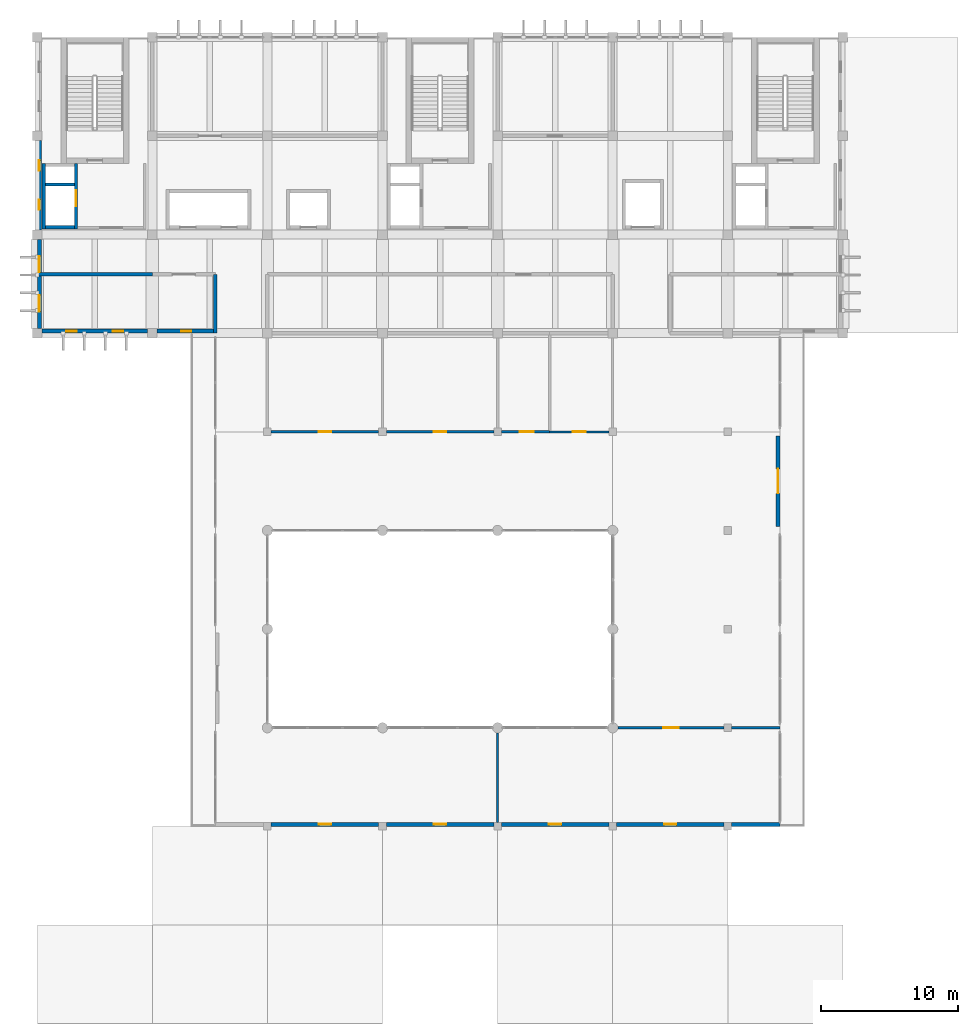
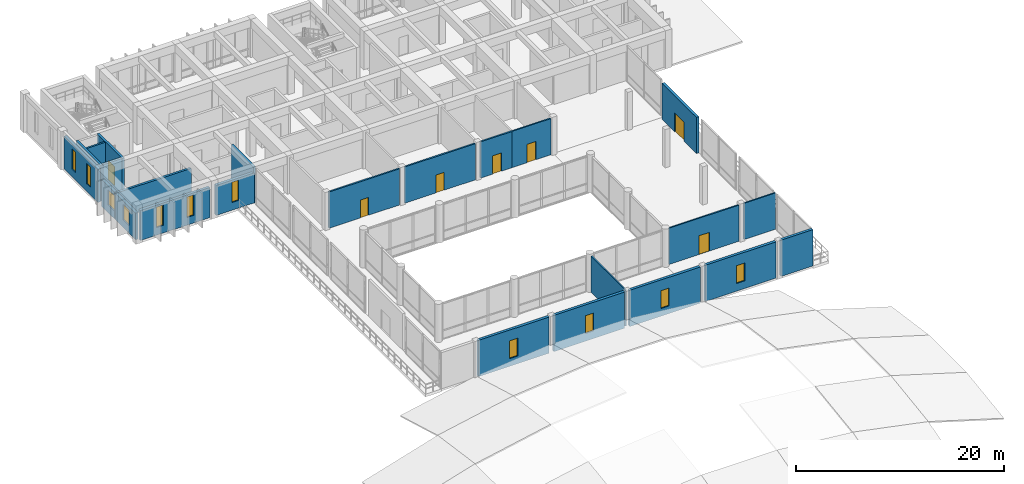
# One storey, part 11 of 17: 23 walls, 11 windows, 7 doors, 18 openings.
"""IFC4 building model written with IfcOpenShell, lengths in metres."""

from ifc_helpers import new_model, si_unit, direction, frame, frame_2d, origin, place, context, subcontext, project, spatial, rectangle, extrude, material, layer, layer_set, type_object, element, fill, save


model = new_model("IFC4")

# Units and contexts
model_context = context("Model", 3, precision=1e-05, world=origin(), true_north=direction((0.0, 1.0)))
body_context = subcontext(model_context, "Body", "Model", "MODEL_VIEW")
ifc_project = project(units=[si_unit("LENGTHUNIT", "METRE"), si_unit("AREAUNIT", "SQUARE_METRE"), si_unit("VOLUMEUNIT", "CUBIC_METRE"), si_unit("PLANEANGLEUNIT", "RADIAN"), si_unit("MASSUNIT", "GRAM", prefix="KILO")], contexts=[model_context])

# Site, building, storey
site_placement = place(None, origin())
site = spatial("IfcSite", under=ifc_project, at=site_placement, CompositionType="ELEMENT")
building_placement = place(site_placement, origin())
building = spatial("IfcBuilding", under=site, at=building_placement, Name="Kenerak Square Central Library", CompositionType="ELEMENT")
storey_placement = place(building_placement, frame((0.0, 0.0, 23.360107421875)))
storey = spatial("IfcBuildingStorey", under=building, at=storey_placement, Name="L05", CompositionType="ELEMENT", Elevation=23.360107421875)

# Wall, opening, door
ifc_material_1 = material(Name="Precast concrete C40/50", Category="concrete")
ifc_layer_1 = layer(ifc_material_1, 0.14990234375)
ifc_layer_set_1 = layer_set([ifc_layer_1], Name="Precast concrete C40/50")
wall_type_1 = type_object("IfcWallType", Name="Acoustic Blockwork Partition IW-150 C40/50", PredefinedType="PARTITIONING", material=ifc_layer_set_1)
wall_1_placement = place(storey_placement, frame((100.77490234375, 60.0, 0.0), z_axis=(0.0, 0.0, 1.0), x_axis=(1.0, 0.0, 0.0)))
wall_1 = element("IfcWall", 1, at=wall_1_placement, inside=storey, type_object=wall_type_1, Name="Interior Wall IW-L05-03-N2-B2", PredefinedType="PARTITIONING", context=body_context, shape_type="SweptSolid", body=[
    extrude(rectangle(XDim=7.75, YDim=0.14990234375, at=frame_2d((3.875, 0.0))), origin(), (0.0, 0.0, 1.0), 4.2548828125),
])
opening_1_placement = place(wall_1_placement, frame((3.300048828125, 0.0, 0.0)))
opening_1 = element("IfcOpeningElement", 2, at=opening_1_placement, cuts=wall_1, Name="Opening ID-05", PredefinedType="OPENING", context=body_context, shape_type="SweptSolid", body=[
    extrude(rectangle(XDim=1.14990234375, YDim=2.199951171875, at=frame_2d((0.574951171875, 1.10009765625))), frame((0.0, 0.0849609375, 0.0), z_axis=(0.0, -1.0, 0.0), x_axis=(1.0, 0.0, 0.0)), (0.0, 0.0, 1.0), 0.169921875),
])
ifc_material_2 = material(Name="Chengal hardwood timber SG1", Category="wood")
door_type_1 = type_object("IfcDoorType", Name="Seminar Room Acoustic Door ID-1150x2200", OperationType="NOTDEFINED", PredefinedType="DOOR", material=ifc_material_2)
door_1_placement = place(opening_1_placement, origin())
door_1 = element("IfcDoor", 3, at=door_1_placement, inside=storey, type_object=door_type_1, Name="Visiting Scholars Seminar Room Door", OperationType="SINGLE_SWING_RIGHT", OverallHeight=2.199951171875, OverallWidth=1.14990234375, PredefinedType="DOOR", context=body_context, shape_type="SweptSolid", body=[
    extrude(rectangle(XDim=1.14990234375, YDim=2.199951171875, at=frame_2d((0.574951171875, 1.10009765625))), frame((0.0, 0.02490234375, 0.0), z_axis=(0.0, -1.0, 0.0), x_axis=(1.0, 0.0, 0.0)), (0.0, 0.0, 1.0), 0.050048828125),
])
fill(opening_1, door_1)

# Wall
wall_2_placement = place(storey_placement, frame((109.074951171875, 60.0, 0.0), z_axis=(0.0, 0.0, 1.0), x_axis=(1.0, 0.0, 0.0)))
element("IfcWall", 4, at=wall_2_placement, inside=storey, type_object=wall_type_1, Name="Interior Wall IW-L05-03-N2-B3", PredefinedType="PARTITIONING", context=body_context, shape_type="SweptSolid", body=[
    extrude(rectangle(XDim=3.525146484375, YDim=0.14990234375, at=frame_2d((1.7626953125, 0.0))), origin(), (0.0, 0.0, 1.0), 4.2548828125),
])

# Wall, opening, door
wall_3_placement = place(storey_placement, frame((100.125, 81.60009765625, 0.0), z_axis=(0.0, 0.0, 1.0), x_axis=(-1.0, 0.0, 0.0)))
wall_3 = element("IfcWall", 5, at=wall_3_placement, inside=storey, type_object=wall_type_1, Name="Interior Wall IW-L05-11-S1-B1", PredefinedType="PARTITIONING", context=body_context, shape_type="SweptSolid", body=[
    extrude(rectangle(XDim=4.324951171875, YDim=0.14990234375, at=frame_2d((2.16259765625, 0.0))), origin(), (0.0, 0.0, 1.0), 4.2548828125),
])
opening_2_placement = place(wall_3_placement, frame((1.6875, 0.0, 0.0)))
opening_2 = element("IfcOpeningElement", 6, at=opening_2_placement, cuts=wall_3, Name="Opening ID-02", PredefinedType="OPENING", context=body_context, shape_type="SweptSolid", body=[
    extrude(rectangle(XDim=0.949951171875, YDim=2.14990234375, at=frame_2d((0.47509765625, 1.074951171875))), frame((0.0, 0.0849609375, 0.0), z_axis=(0.0, -1.0, 0.0), x_axis=(1.0, 0.0, 0.0)), (0.0, 0.0, 1.0), 0.169921875),
])
door_type_2 = type_object("IfcDoorType", Name="Study Carrel Timber Door ID-950x2150", OperationType="NOTDEFINED", PredefinedType="DOOR", material=ifc_material_2)
door_2_placement = place(opening_2_placement, origin())
door_2 = element("IfcDoor", 7, at=door_2_placement, inside=storey, type_object=door_type_2, Name="Level 05 Heritage Fellows Private Study Room Door", OperationType="SINGLE_SWING_RIGHT", OverallHeight=2.14990234375, OverallWidth=0.949951171875, PredefinedType="DOOR", context=body_context, shape_type="SweptSolid", body=[
    extrude(rectangle(XDim=0.949951171875, YDim=2.14990234375, at=frame_2d((0.47509765625, 1.074951171875))), frame((0.0, 0.02490234375, 0.0), z_axis=(0.0, -1.0, 0.0), x_axis=(1.0, 0.0, 0.0)), (0.0, 0.0, 1.0), 0.050048828125),
])
fill(opening_2, door_2)

# Walls
wall_4_placement = place(storey_placement, frame((92.0, 53.074951171875, 0.0), z_axis=(0.0, 0.0, 1.0), x_axis=(0.0, 1.0, 0.0)))
element("IfcWall", 8, at=wall_4_placement, inside=storey, type_object=wall_type_1, Name="Interior Wall IW-L05-03-W3-B1", PredefinedType="PARTITIONING", context=body_context, shape_type="SweptSolid", body=[
    extrude(rectangle(XDim=6.550048828125, YDim=0.14990234375, at=frame_2d((3.27490234375, 0.0))), origin(), (0.0, 0.0, 1.0), 4.2548828125),
])
ifc_material_3 = material(Name="Concrete C40/50", Category="concrete")
ifc_layer_2 = layer(ifc_material_3, 0.25)
ifc_layer_set_2 = layer_set([ifc_layer_2], Name="Concrete C40/50")
wall_type_2 = type_object("IfcWallType", Name="Archive Compartment Wall IW-250 C40/50", PredefinedType="SOLIDWALL", material=ifc_layer_set_2)
wall_5_placement = place(storey_placement, frame((58.39990234375, 93.10009765625, 0.0), z_axis=(0.0, 0.0, 1.0), x_axis=(1.0, 0.0, 0.0)))
element("IfcWall", 9, at=wall_5_placement, inside=storey, type_object=wall_type_2, Name="Interior Wall IW-L05-04-N2-B1", PredefinedType="SOLIDWALL", context=body_context, shape_type="SweptSolid", body=[
    extrude(rectangle(XDim=8.400146484375, YDim=0.25, at=frame_2d((4.2001953125, 0.0))), origin(), (0.0, 0.0, 1.0), 3.1298828125),
])
wall_6_placement = place(storey_placement, frame((71.39990234375, 93.10009765625, 0.0), z_axis=(0.0, 0.0, 1.0), x_axis=(0.0, -1.0, 0.0)))
element("IfcWall", 10, at=wall_6_placement, inside=storey, type_object=wall_type_2, Name="Interior Wall IW-L05-04-E4-B1", PredefinedType="SOLIDWALL", context=body_context, shape_type="SweptSolid", body=[
    extrude(rectangle(XDim=4.300048828125, YDim=0.25, at=frame_2d((2.14990234375, 0.0))), origin(), (0.0, 0.0, 1.0), 4.2548828125),
])
ifc_layer_3 = layer(ifc_material_3, 0.300048828125)
ifc_layer_set_3 = layer_set([ifc_layer_3], Name="Concrete C40/50")
wall_type_3 = type_object("IfcWallType", Name="Board-Marked Brutalist Facade Wall EW-300 C40/50", PredefinedType="SOLIDWALL", material=ifc_layer_set_3)
wall_7_placement = place(storey_placement, frame((112.60009765625, 52.949951171875, 0.0), z_axis=(0.0, 0.0, 1.0), x_axis=(-1.0, 0.0, 0.0)))
element("IfcWall", 11, at=wall_7_placement, inside=storey, type_object=wall_type_3, Name="Exterior Facade Wall L05 0241", PredefinedType="SOLIDWALL", context=body_context, shape_type="SweptSolid", body=[
    extrude(rectangle(XDim=3.525146484375, YDim=0.300048828125, at=frame_2d((1.7626953125, 0.0))), origin(), (0.0, 0.0, 1.0), 4.2548828125),
])

# Wall, opening, window
wall_8_placement = place(storey_placement, frame((108.52490234375, 52.949951171875, 0.0), z_axis=(0.0, 0.0, 1.0), x_axis=(-1.0, 0.0, 0.0)))
wall_8 = element("IfcWall", 12, at=wall_8_placement, inside=storey, type_object=wall_type_3, Name="Exterior Facade Wall L05 0242", PredefinedType="SOLIDWALL", context=body_context, shape_type="SweptSolid", body=[
    extrude(rectangle(XDim=7.849853515625, YDim=0.300048828125, at=frame_2d((3.9248046875, 0.0))), origin(), (0.0, 0.0, 1.0), 4.2548828125),
])
opening_3_placement = place(wall_8_placement, frame((3.47509765625, 0.0, 0.89990234375)))
opening_3 = element("IfcOpeningElement", 13, at=opening_3_placement, cuts=wall_8, Name="Opening W-03", PredefinedType="OPENING", context=body_context, shape_type="SweptSolid", body=[
    extrude(rectangle(XDim=0.89990234375, YDim=2.10009765625, at=frame_2d((0.449951171875, 1.050048828125))), frame((0.0, 0.159912109375, 0.0), z_axis=(0.0, -1.0, 0.0), x_axis=(1.0, 0.0, 0.0)), (0.0, 0.0, 1.0), 0.320068359375),
])
ifc_material_4 = material(Name="Solar-control low-E laminated double glazing", Category="glass")
window_type_1 = type_object("IfcWindowType", Name="Study Carrel Window W-03 900x2100", PartitioningType="SINGLE_PANEL", PredefinedType="WINDOW", material=ifc_material_4)
window_1_placement = place(opening_3_placement, origin())
window_1 = element("IfcWindow", 14, at=window_1_placement, inside=storey, type_object=window_type_1, Name="Window W-03 L05 0270", OverallHeight=2.10009765625, OverallWidth=0.89990234375, PartitioningType="SINGLE_PANEL", PredefinedType="WINDOW", context=body_context, shape_type="SweptSolid", body=[
    extrude(rectangle(XDim=0.89990234375, YDim=2.10009765625, at=frame_2d((0.449951171875, 1.050048828125))), frame((0.0, 0.030029296875, 0.0), z_axis=(0.0, -1.0, 0.0), x_axis=(1.0, 0.0, 0.0)), (0.0, 0.0, 1.0), 0.06005859375),
])
fill(opening_3, window_1)

wall_9_placement = place(storey_placement, frame((100.125, 52.949951171875, 0.0), z_axis=(0.0, 0.0, 1.0), x_axis=(-1.0, 0.0, 0.0)))
wall_9 = element("IfcWall", 15, at=wall_9_placement, inside=storey, type_object=wall_type_3, Name="Exterior Facade Wall L05 0243", PredefinedType="SOLIDWALL", context=body_context, shape_type="SweptSolid", body=[
    extrude(rectangle(XDim=7.85009765625, YDim=0.300048828125, at=frame_2d((3.925048828125, 0.0))), origin(), (0.0, 0.0, 1.0), 4.2548828125),
])
opening_4_placement = place(wall_9_placement, frame((3.47509765625, 0.0, 0.89990234375)))
opening_4 = element("IfcOpeningElement", 16, at=opening_4_placement, cuts=wall_9, Name="Opening W-03", PredefinedType="OPENING", context=body_context, shape_type="SweptSolid", body=[
    extrude(rectangle(XDim=0.89990234375, YDim=2.10009765625, at=frame_2d((0.449951171875, 1.050048828125))), frame((0.0, 0.159912109375, 0.0), z_axis=(0.0, -1.0, 0.0), x_axis=(1.0, 0.0, 0.0)), (0.0, 0.0, 1.0), 0.320068359375),
])
window_2_placement = place(opening_4_placement, origin())
window_2 = element("IfcWindow", 17, at=window_2_placement, inside=storey, type_object=window_type_1, Name="Window W-03 L05 0271", OverallHeight=2.10009765625, OverallWidth=0.89990234375, PartitioningType="SINGLE_PANEL", PredefinedType="WINDOW", context=body_context, shape_type="SweptSolid", body=[
    extrude(rectangle(XDim=0.89990234375, YDim=2.10009765625, at=frame_2d((0.449951171875, 1.050048828125))), frame((0.0, 0.030029296875, 0.0), z_axis=(0.0, -1.0, 0.0), x_axis=(1.0, 0.0, 0.0)), (0.0, 0.0, 1.0), 0.06005859375),
])
fill(opening_4, window_2)

wall_10_placement = place(storey_placement, frame((91.72509765625, 52.949951171875, 0.0), z_axis=(0.0, 0.0, 1.0), x_axis=(-1.0, 0.0, 0.0)))
wall_10 = element("IfcWall", 18, at=wall_10_placement, inside=storey, type_object=wall_type_3, Name="Exterior Facade Wall L05 0244", PredefinedType="SOLIDWALL", context=body_context, shape_type="SweptSolid", body=[
    extrude(rectangle(XDim=7.85009765625, YDim=0.300048828125, at=frame_2d((3.925048828125, 0.0))), origin(), (0.0, 0.0, 1.0), 4.2548828125),
])
opening_5_placement = place(wall_10_placement, frame((3.47509765625, 0.0, 0.89990234375)))
opening_5 = element("IfcOpeningElement", 19, at=opening_5_placement, cuts=wall_10, Name="Opening W-03", PredefinedType="OPENING", context=body_context, shape_type="SweptSolid", body=[
    extrude(rectangle(XDim=0.89990234375, YDim=2.10009765625, at=frame_2d((0.449951171875, 1.050048828125))), frame((0.0, 0.159912109375, 0.0), z_axis=(0.0, -1.0, 0.0), x_axis=(1.0, 0.0, 0.0)), (0.0, 0.0, 1.0), 0.320068359375),
])
window_3_placement = place(opening_5_placement, origin())
window_3 = element("IfcWindow", 20, at=window_3_placement, inside=storey, type_object=window_type_1, Name="Window W-03 L05 0272", OverallHeight=2.10009765625, OverallWidth=0.89990234375, PartitioningType="SINGLE_PANEL", PredefinedType="WINDOW", context=body_context, shape_type="SweptSolid", body=[
    extrude(rectangle(XDim=0.89990234375, YDim=2.10009765625, at=frame_2d((0.449951171875, 1.050048828125))), frame((0.0, 0.030029296875, 0.0), z_axis=(0.0, -1.0, 0.0), x_axis=(1.0, 0.0, 0.0)), (0.0, 0.0, 1.0), 0.06005859375),
])
fill(opening_5, window_3)

wall_11_placement = place(storey_placement, frame((83.324951171875, 52.949951171875, 0.0), z_axis=(0.0, 0.0, 1.0), x_axis=(-1.0, 0.0, 0.0)))
wall_11 = element("IfcWall", 21, at=wall_11_placement, inside=storey, type_object=wall_type_3, Name="Exterior Facade Wall L05 0245", PredefinedType="SOLIDWALL", context=body_context, shape_type="SweptSolid", body=[
    extrude(rectangle(XDim=7.849853515625, YDim=0.300048828125, at=frame_2d((3.9248046875, 0.0))), origin(), (0.0, 0.0, 1.0), 4.2548828125),
])
opening_6_placement = place(wall_11_placement, frame((3.47509765625, 0.0, 0.89990234375)))
opening_6 = element("IfcOpeningElement", 22, at=opening_6_placement, cuts=wall_11, Name="Opening W-03", PredefinedType="OPENING", context=body_context, shape_type="SweptSolid", body=[
    extrude(rectangle(XDim=0.89990234375, YDim=2.10009765625, at=frame_2d((0.449951171875, 1.050048828125))), frame((0.0, 0.159912109375, 0.0), z_axis=(0.0, -1.0, 0.0), x_axis=(1.0, 0.0, 0.0)), (0.0, 0.0, 1.0), 0.320068359375),
])
window_4_placement = place(opening_6_placement, origin())
window_4 = element("IfcWindow", 23, at=window_4_placement, inside=storey, type_object=window_type_1, Name="Window W-03 L05 0273", OverallHeight=2.10009765625, OverallWidth=0.89990234375, PartitioningType="SINGLE_PANEL", PredefinedType="WINDOW", context=body_context, shape_type="SweptSolid", body=[
    extrude(rectangle(XDim=0.89990234375, YDim=2.10009765625, at=frame_2d((0.449951171875, 1.050048828125))), frame((0.0, 0.030029296875, 0.0), z_axis=(0.0, -1.0, 0.0), x_axis=(1.0, 0.0, 0.0)), (0.0, 0.0, 1.0), 0.06005859375),
])
fill(opening_6, window_4)

wall_12_placement = place(storey_placement, frame((71.39990234375, 88.949951171875, 0.0), z_axis=(0.0, 0.0, 1.0), x_axis=(-1.0, 0.0, 0.0)))
wall_12 = element("IfcWall", 24, at=wall_12_placement, inside=storey, type_object=wall_type_3, Name="Exterior Facade Wall L05 0248", PredefinedType="SOLIDWALL", context=body_context, shape_type="SweptSolid", body=[
    extrude(rectangle(XDim=4.25, YDim=0.300048828125, at=frame_2d((2.125, 0.0))), origin(), (0.0, 0.0, 1.0), 3.52978515625),
])
opening_7_placement = place(wall_12_placement, frame((1.75, 0.0, 0.89990234375)))
opening_7 = element("IfcOpeningElement", 25, at=opening_7_placement, cuts=wall_12, Name="Opening W-02", PredefinedType="OPENING", context=body_context, shape_type="SweptSolid", body=[
    extrude(rectangle(XDim=0.75, YDim=2.39990234375, at=frame_2d((0.375, 1.199951171875))), frame((0.0, 0.159912109375, 0.0), z_axis=(0.0, -1.0, 0.0), x_axis=(1.0, 0.0, 0.0)), (0.0, 0.0, 1.0), 0.320068359375),
])
window_type_2 = type_object("IfcWindowType", Name="Archive Narrow Slot Window W-02 750x2400", PartitioningType="SINGLE_PANEL", PredefinedType="WINDOW", material=ifc_material_4)
window_5_placement = place(opening_7_placement, origin())
window_5 = element("IfcWindow", 26, at=window_5_placement, inside=storey, type_object=window_type_2, Name="Window W-02 L05 0274", OverallHeight=2.39990234375, OverallWidth=0.75, PartitioningType="SINGLE_PANEL", PredefinedType="WINDOW", context=body_context, shape_type="SweptSolid", body=[
    extrude(rectangle(XDim=0.75, YDim=2.39990234375, at=frame_2d((0.375, 1.199951171875))), frame((0.0, 0.030029296875, 0.0), z_axis=(0.0, -1.0, 0.0), x_axis=(1.0, 0.0, 0.0)), (0.0, 0.0, 1.0), 0.06005859375),
])
fill(opening_7, window_5)

# Wall, openings, windows
wall_13_placement = place(storey_placement, frame((66.449951171875, 88.949951171875, 0.0), z_axis=(0.0, 0.0, 1.0), x_axis=(-1.0, 0.0, 0.0)))
wall_13 = element("IfcWall", 27, at=wall_13_placement, inside=storey, type_object=wall_type_3, Name="Exterior Facade Wall L05 0249", PredefinedType="SOLIDWALL", context=body_context, shape_type="SweptSolid", body=[
    extrude(rectangle(XDim=7.699951171875, YDim=0.300048828125, at=frame_2d((3.85009765625, 0.0))), origin(), (0.0, 0.0, 1.0), 3.52978515625),
])
opening_8_placement = place(wall_13_placement, frame((1.781005859375, 0.0, 0.89990234375)))
opening_8 = element("IfcOpeningElement", 28, at=opening_8_placement, cuts=wall_13, Name="Opening W-02", PredefinedType="OPENING", context=body_context, shape_type="SweptSolid", body=[
    extrude(rectangle(XDim=0.75, YDim=2.39990234375, at=frame_2d((0.375, 1.199951171875))), frame((0.0, 0.159912109375, 0.0), z_axis=(0.0, -1.0, 0.0), x_axis=(1.0, 0.0, 0.0)), (0.0, 0.0, 1.0), 0.320068359375),
])
opening_9_placement = place(wall_13_placement, frame((5.1689453125, 0.0, 0.89990234375)))
opening_9 = element("IfcOpeningElement", 29, at=opening_9_placement, cuts=wall_13, Name="Opening W-02", PredefinedType="OPENING", context=body_context, shape_type="SweptSolid", body=[
    extrude(rectangle(XDim=0.75, YDim=2.39990234375, at=frame_2d((0.375, 1.199951171875))), frame((0.0, 0.159912109375, 0.0), z_axis=(0.0, -1.0, 0.0), x_axis=(1.0, 0.0, 0.0)), (0.0, 0.0, 1.0), 0.320068359375),
])
window_6_placement = place(opening_8_placement, origin())
window_6 = element("IfcWindow", 30, at=window_6_placement, inside=storey, type_object=window_type_2, Name="Window W-02 L05 0275", OverallHeight=2.39990234375, OverallWidth=0.75, PartitioningType="SINGLE_PANEL", PredefinedType="WINDOW", context=body_context, shape_type="SweptSolid", body=[
    extrude(rectangle(XDim=0.75, YDim=2.39990234375, at=frame_2d((0.375, 1.199951171875))), frame((0.0, 0.030029296875, 0.0), z_axis=(0.0, -1.0, 0.0), x_axis=(1.0, 0.0, 0.0)), (0.0, 0.0, 1.0), 0.06005859375),
])
fill(opening_8, window_6)
window_7_placement = place(opening_9_placement, origin())
window_7 = element("IfcWindow", 31, at=window_7_placement, inside=storey, type_object=window_type_2, Name="Window W-02 L05 0276", OverallHeight=2.39990234375, OverallWidth=0.75, PartitioningType="SINGLE_PANEL", PredefinedType="WINDOW", context=body_context, shape_type="SweptSolid", body=[
    extrude(rectangle(XDim=0.75, YDim=2.39990234375, at=frame_2d((0.375, 1.199951171875))), frame((0.0, 0.030029296875, 0.0), z_axis=(0.0, -1.0, 0.0), x_axis=(1.0, 0.0, 0.0)), (0.0, 0.0, 1.0), 0.06005859375),
])
fill(opening_9, window_7)

wall_14_placement = place(storey_placement, frame((58.550048828125, 89.14990234375, 0.0), z_axis=(0.0, 0.0, 1.0), x_axis=(0.0, 1.0, 0.0)))
wall_14 = element("IfcWall", 32, at=wall_14_placement, inside=storey, type_object=wall_type_3, Name="Exterior Facade Wall L05 0250", PredefinedType="SOLIDWALL", context=body_context, shape_type="SweptSolid", body=[
    extrude(rectangle(XDim=6.5, YDim=0.300048828125, at=frame_2d((3.25, 0.0))), origin(), (0.0, 0.0, 1.0), 3.1298828125),
])
opening_10_placement = place(wall_14_placement, frame((1.219970703125, 0.0, 0.89990234375)))
opening_10 = element("IfcOpeningElement", 33, at=opening_10_placement, cuts=wall_14, Name="Opening W-04", PredefinedType="OPENING", context=body_context, shape_type="SweptSolid", body=[
    extrude(rectangle(XDim=1.199951171875, YDim=1.800048828125, at=frame_2d((0.60009765625, 0.89990234375))), frame((0.0, 0.159912109375, 0.0), z_axis=(0.0, -1.0, 0.0), x_axis=(1.0, 0.0, 0.0)), (0.0, 0.0, 1.0), 0.320068359375),
])
opening_11_placement = place(wall_14_placement, frame((4.080078125, 0.0, 0.89990234375)))
opening_11 = element("IfcOpeningElement", 34, at=opening_11_placement, cuts=wall_14, Name="Opening W-04", PredefinedType="OPENING", context=body_context, shape_type="SweptSolid", body=[
    extrude(rectangle(XDim=1.199951171875, YDim=1.800048828125, at=frame_2d((0.60009765625, 0.89990234375))), frame((0.0, 0.159912109375, 0.0), z_axis=(0.0, -1.0, 0.0), x_axis=(1.0, 0.0, 0.0)), (0.0, 0.0, 1.0), 0.320068359375),
])
window_type_3 = type_object("IfcWindowType", Name="Staff Workroom Window W-04 1200x1800", PartitioningType="SINGLE_PANEL", PredefinedType="WINDOW", material=ifc_material_4)
window_8_placement = place(opening_10_placement, origin())
window_8 = element("IfcWindow", 35, at=window_8_placement, inside=storey, type_object=window_type_3, Name="Window W-04 L05 0277", OverallHeight=1.800048828125, OverallWidth=1.199951171875, PartitioningType="SINGLE_PANEL", PredefinedType="WINDOW", context=body_context, shape_type="SweptSolid", body=[
    extrude(rectangle(XDim=1.199951171875, YDim=1.800048828125, at=frame_2d((0.60009765625, 0.89990234375))), frame((0.0, 0.030029296875, 0.0), z_axis=(0.0, -1.0, 0.0), x_axis=(1.0, 0.0, 0.0)), (0.0, 0.0, 1.0), 0.06005859375),
])
fill(opening_10, window_8)
window_9_placement = place(opening_11_placement, origin())
window_9 = element("IfcWindow", 36, at=window_9_placement, inside=storey, type_object=window_type_3, Name="Window W-04 L05 0278", OverallHeight=1.800048828125, OverallWidth=1.199951171875, PartitioningType="SINGLE_PANEL", PredefinedType="WINDOW", context=body_context, shape_type="SweptSolid", body=[
    extrude(rectangle(XDim=1.199951171875, YDim=1.800048828125, at=frame_2d((0.60009765625, 0.89990234375))), frame((0.0, 0.030029296875, 0.0), z_axis=(0.0, -1.0, 0.0), x_axis=(1.0, 0.0, 0.0)), (0.0, 0.0, 1.0), 0.06005859375),
])
fill(opening_11, window_9)

wall_15_placement = place(storey_placement, frame((58.550048828125, 96.35009765625, 0.0), z_axis=(0.0, 0.0, 1.0), x_axis=(0.0, 1.0, 0.0)))
wall_15 = element("IfcWall", 37, at=wall_15_placement, inside=storey, type_object=wall_type_3, Name="Exterior Facade Wall L05 0251", PredefinedType="SOLIDWALL", context=body_context, shape_type="SweptSolid", body=[
    extrude(rectangle(XDim=6.5, YDim=0.300048828125, at=frame_2d((3.25, 0.0))), origin(), (0.0, 0.0, 1.0), 3.8798828125),
])
opening_12_placement = place(wall_15_placement, frame((1.445068359375, 0.0, 0.89990234375)))
opening_12 = element("IfcOpeningElement", 38, at=opening_12_placement, cuts=wall_15, Name="Opening W-02", PredefinedType="OPENING", context=body_context, shape_type="SweptSolid", body=[
    extrude(rectangle(XDim=0.75, YDim=2.39990234375, at=frame_2d((0.375, 1.199951171875))), frame((0.0, 0.159912109375, 0.0), z_axis=(0.0, -1.0, 0.0), x_axis=(1.0, 0.0, 0.0)), (0.0, 0.0, 1.0), 0.320068359375),
])
opening_13_placement = place(wall_15_placement, frame((4.304931640625, 0.0, 0.89990234375)))
opening_13 = element("IfcOpeningElement", 39, at=opening_13_placement, cuts=wall_15, Name="Opening W-02", PredefinedType="OPENING", context=body_context, shape_type="SweptSolid", body=[
    extrude(rectangle(XDim=0.75, YDim=2.39990234375, at=frame_2d((0.375, 1.199951171875))), frame((0.0, 0.159912109375, 0.0), z_axis=(0.0, -1.0, 0.0), x_axis=(1.0, 0.0, 0.0)), (0.0, 0.0, 1.0), 0.320068359375),
])
window_10_placement = place(opening_12_placement, origin())
window_10 = element("IfcWindow", 40, at=window_10_placement, inside=storey, type_object=window_type_2, Name="Window W-02 L05 0279", OverallHeight=2.39990234375, OverallWidth=0.75, PartitioningType="SINGLE_PANEL", PredefinedType="WINDOW", context=body_context, shape_type="SweptSolid", body=[
    extrude(rectangle(XDim=0.75, YDim=2.39990234375, at=frame_2d((0.375, 1.199951171875))), frame((0.0, 0.030029296875, 0.0), z_axis=(0.0, -1.0, 0.0), x_axis=(1.0, 0.0, 0.0)), (0.0, 0.0, 1.0), 0.06005859375),
])
fill(opening_12, window_10)
window_11_placement = place(opening_13_placement, origin())
window_11 = element("IfcWindow", 41, at=window_11_placement, inside=storey, type_object=window_type_2, Name="Window W-02 L05 0280", OverallHeight=2.39990234375, OverallWidth=0.75, PartitioningType="SINGLE_PANEL", PredefinedType="WINDOW", context=body_context, shape_type="SweptSolid", body=[
    extrude(rectangle(XDim=0.75, YDim=2.39990234375, at=frame_2d((0.375, 1.199951171875))), frame((0.0, 0.030029296875, 0.0), z_axis=(0.0, -1.0, 0.0), x_axis=(1.0, 0.0, 0.0)), (0.0, 0.0, 1.0), 0.06005859375),
])
fill(opening_13, window_11)

# Wall, opening, door
ifc_layer_4 = layer(ifc_material_1, 0.27490234375)
ifc_layer_set_4 = layer_set([ifc_layer_4], Name="Precast concrete C40/50")
wall_type_4 = type_object("IfcWallType", Name="Insulated Precast Spandrel Wall SPW-275 C40/50", PredefinedType="SOLIDWALL", material=ifc_layer_set_4)
wall_16_placement = place(storey_placement, frame((112.46240234375, 81.300048828125, 0.0), z_axis=(0.0, 0.0, 1.0), x_axis=(0.0, -1.0, 0.0)))
wall_16 = element("IfcWall", 42, at=wall_16_placement, inside=storey, type_object=wall_type_4, Name="Exterior Facade Wall L05 0257", PredefinedType="SOLIDWALL", context=body_context, shape_type="SweptSolid", body=[
    extrude(rectangle(XDim=6.60009765625, YDim=0.27490234375, at=frame_2d((3.300048828125, 0.0))), origin(), (0.0, 0.0, 1.0), 4.2548828125),
])
opening_14_placement = place(wall_16_placement, frame((2.39990234375, 0.0, 0.0)))
opening_14 = element("IfcOpeningElement", 43, at=opening_14_placement, cuts=wall_16, Name="Opening TD-01", PredefinedType="OPENING", context=body_context, shape_type="SweptSolid", body=[
    extrude(rectangle(XDim=1.800048828125, YDim=2.25, at=frame_2d((0.89990234375, 1.125))), frame((0.0, 0.1474609375, 0.0), z_axis=(0.0, -1.0, 0.0), x_axis=(1.0, 0.0, 0.0)), (0.0, 0.0, 1.0), 0.294921875),
])
ifc_material_5 = material(Name="Anodised aluminium and laminated glass", Category="aluminium")
door_type_3 = type_object("IfcDoorType", Name="Planted Reading Terrace Double Door TD-1800x2250", OperationType="NOTDEFINED", PredefinedType="DOOR", material=ifc_material_5)
door_3_placement = place(opening_14_placement, origin())
door_3 = element("IfcDoor", 44, at=door_3_placement, inside=storey, type_object=door_type_3, Name="Upper East Reading Terrace L05 Access Door", OperationType="DOUBLE_DOOR_SINGLE_SWING", OverallHeight=2.25, OverallWidth=1.800048828125, PredefinedType="DOOR", context=body_context, shape_type="SweptSolid", body=[
    extrude(rectangle(XDim=1.800048828125, YDim=2.25, at=frame_2d((0.89990234375, 1.125))), frame((0.0, 0.02490234375, 0.0), z_axis=(0.0, -1.0, 0.0), x_axis=(1.0, 0.0, 0.0)), (0.0, 0.0, 1.0), 0.050048828125),
])
fill(opening_14, door_3)

# Wall
ifc_layer_5 = layer(ifc_material_3, 0.199951171875)
ifc_layer_set_5 = layer_set([ifc_layer_5], Name="Concrete C40/50")
wall_type_5 = type_object("IfcWallType", Name="Lobby Compartment Wall LW-200 C40/50", PredefinedType="SOLIDWALL", material=ifc_layer_set_5)
wall_17_placement = place(storey_placement, frame((59.0, 99.64990234375, 0.0), z_axis=(0.0, 0.0, 1.0), x_axis=(1.0, 0.0, 0.0)))
element("IfcWall", 45, at=wall_17_placement, inside=storey, type_object=wall_type_5, Name="Riser Divider Wall C1 L05", PredefinedType="SOLIDWALL", context=body_context, shape_type="SweptSolid", body=[
    extrude(rectangle(XDim=2.10009765625, YDim=0.199951171875, at=frame_2d((1.050048828125, 0.0))), origin(), (0.0, 0.0, 1.0), 4.204833984375),
])

# Wall, opening, door
ifc_layer_6 = layer(ifc_material_1, 0.175048828125)
ifc_layer_set_6 = layer_set([ifc_layer_6], Name="Precast concrete C40/50")
wall_type_6 = type_object("IfcWallType", Name="Sanitary Plumbing Chase Wall IW-175 C40/50", PredefinedType="PLUMBINGWALL", material=ifc_layer_set_6)
wall_18_placement = place(storey_placement, frame((83.324951171875, 81.60009765625, 0.0), z_axis=(0.0, 0.0, 1.0), x_axis=(-1.0, 0.0, 0.0)))
wall_18 = element("IfcWall", 46, at=wall_18_placement, inside=storey, type_object=wall_type_6, Name="Interior Wall IW-L05-06-S1-B1", PredefinedType="PLUMBINGWALL", context=body_context, shape_type="SweptSolid", body=[
    extrude(rectangle(XDim=7.849853515625, YDim=0.175048828125, at=frame_2d((3.9248046875, 0.0))), origin(), (0.0, 0.0, 1.0), 4.2548828125),
])
opening_15_placement = place(wall_18_placement, frame((3.47509765625, 0.0, 0.0)))
opening_15 = element("IfcOpeningElement", 47, at=opening_15_placement, cuts=wall_18, Name="Opening ID-01", PredefinedType="OPENING", context=body_context, shape_type="SweptSolid", body=[
    extrude(rectangle(XDim=0.89990234375, YDim=2.10009765625, at=frame_2d((0.449951171875, 1.050048828125))), frame((0.0, 0.097412109375, 0.0), z_axis=(0.0, -1.0, 0.0), x_axis=(1.0, 0.0, 0.0)), (0.0, 0.0, 1.0), 0.195068359375),
])
door_type_4 = type_object("IfcDoorType", Name="Restroom Single Door ID-900x2100", OperationType="NOTDEFINED", PredefinedType="DOOR", material=ifc_material_2)
door_4_placement = place(opening_15_placement, origin())
door_4 = element("IfcDoor", 48, at=door_4_placement, inside=storey, type_object=door_type_4, Name="Level 05 Male Restroom Door", OperationType="SINGLE_SWING_LEFT", OverallHeight=2.10009765625, OverallWidth=0.89990234375, PredefinedType="DOOR", context=body_context, shape_type="SweptSolid", body=[
    extrude(rectangle(XDim=0.89990234375, YDim=2.10009765625, at=frame_2d((0.449951171875, 1.050048828125))), frame((0.0, 0.02490234375, 0.0), z_axis=(0.0, -1.0, 0.0), x_axis=(1.0, 0.0, 0.0)), (0.0, 0.0, 1.0), 0.050048828125),
])
fill(opening_15, door_4)

wall_19_placement = place(storey_placement, frame((91.72509765625, 81.60009765625, 0.0), z_axis=(0.0, 0.0, 1.0), x_axis=(-1.0, 0.0, 0.0)))
wall_19 = element("IfcWall", 49, at=wall_19_placement, inside=storey, type_object=wall_type_6, Name="Interior Wall IW-L05-07-S1-B1", PredefinedType="PLUMBINGWALL", context=body_context, shape_type="SweptSolid", body=[
    extrude(rectangle(XDim=7.85009765625, YDim=0.175048828125, at=frame_2d((3.925048828125, 0.0))), origin(), (0.0, 0.0, 1.0), 4.2548828125),
])
opening_16_placement = place(wall_19_placement, frame((3.47509765625, 0.0, 0.0)))
opening_16 = element("IfcOpeningElement", 50, at=opening_16_placement, cuts=wall_19, Name="Opening ID-01", PredefinedType="OPENING", context=body_context, shape_type="SweptSolid", body=[
    extrude(rectangle(XDim=0.89990234375, YDim=2.10009765625, at=frame_2d((0.449951171875, 1.050048828125))), frame((0.0, 0.097412109375, 0.0), z_axis=(0.0, -1.0, 0.0), x_axis=(1.0, 0.0, 0.0)), (0.0, 0.0, 1.0), 0.195068359375),
])
door_5_placement = place(opening_16_placement, origin())
door_5 = element("IfcDoor", 51, at=door_5_placement, inside=storey, type_object=door_type_4, Name="Level 05 Female Restroom Door", OperationType="SINGLE_SWING_RIGHT", OverallHeight=2.10009765625, OverallWidth=0.89990234375, PredefinedType="DOOR", context=body_context, shape_type="SweptSolid", body=[
    extrude(rectangle(XDim=0.89990234375, YDim=2.10009765625, at=frame_2d((0.449951171875, 1.050048828125))), frame((0.0, 0.02490234375, 0.0), z_axis=(0.0, -1.0, 0.0), x_axis=(1.0, 0.0, 0.0)), (0.0, 0.0, 1.0), 0.050048828125),
])
fill(opening_16, door_5)

wall_20_placement = place(storey_placement, frame((95.800048828125, 81.60009765625, 0.0), z_axis=(0.0, 0.0, 1.0), x_axis=(-1.0, 0.0, 0.0)))
wall_20 = element("IfcWall", 52, at=wall_20_placement, inside=storey, type_object=wall_type_6, Name="Interior Wall IW-L05-08-S1-B1", PredefinedType="PLUMBINGWALL", context=body_context, shape_type="SweptSolid", body=[
    extrude(rectangle(XDim=3.525146484375, YDim=0.175048828125, at=frame_2d((1.7626953125, 0.0))), origin(), (0.0, 0.0, 1.0), 4.2548828125),
])
opening_17_placement = place(wall_20_placement, frame((1.175048828125, 0.0, 0.0)))
opening_17 = element("IfcOpeningElement", 53, at=opening_17_placement, cuts=wall_20, Name="Opening ID-03", PredefinedType="OPENING", context=body_context, shape_type="SweptSolid", body=[
    extrude(rectangle(XDim=1.0, YDim=2.14990234375, at=frame_2d((0.5, 1.074951171875))), frame((0.0, 0.097412109375, 0.0), z_axis=(0.0, -1.0, 0.0), x_axis=(1.0, 0.0, 0.0)), (0.0, 0.0, 1.0), 0.195068359375),
])
door_type_5 = type_object("IfcDoorType", Name="Accessible OKU WC Door ID-1000x2150", OperationType="NOTDEFINED", PredefinedType="DOOR", material=ifc_material_2)
door_6_placement = place(opening_17_placement, origin())
door_6 = element("IfcDoor", 54, at=door_6_placement, inside=storey, type_object=door_type_5, Name="Level 05 Accessible WC Door", OperationType="SINGLE_SWING_LEFT", OverallHeight=2.14990234375, OverallWidth=1.0, PredefinedType="DOOR", context=body_context, shape_type="SweptSolid", body=[
    extrude(rectangle(XDim=1.0, YDim=2.14990234375, at=frame_2d((0.5, 1.074951171875))), frame((0.0, 0.02490234375, 0.0), z_axis=(0.0, -1.0, 0.0), x_axis=(1.0, 0.0, 0.0)), (0.0, 0.0, 1.0), 0.050048828125),
])
fill(opening_17, door_6)

# Wall
ifc_layer_7 = layer(ifc_material_3, 0.25)
ifc_layer_set_7 = layer_set([ifc_layer_7], Name="Concrete C40/50")
wall_type_7 = type_object("IfcWallType", Name="Shaft Enclosure Wall SW-250 C40/50", PredefinedType="SOLIDWALL", material=ifc_layer_set_7)
wall_21_placement = place(storey_placement, frame((58.875, 96.39990234375, 0.0), z_axis=(0.0, 0.0, 1.0), x_axis=(0.0, 1.0, 0.0)))
element("IfcWall", 55, at=wall_21_placement, inside=storey, type_object=wall_type_7, Name="Core Wall FLW-C1 L05 West", PredefinedType="SOLIDWALL", context=body_context, shape_type="SweptSolid", body=[
    extrude(rectangle(XDim=4.800048828125, YDim=0.25, at=frame_2d((2.39990234375, 0.0))), origin(), (0.0, 0.0, 1.0), 4.204833984375),
])

# Wall, opening, door
wall_22_placement = place(storey_placement, frame((61.22509765625, 101.199951171875, 0.0), z_axis=(0.0, 0.0, 1.0), x_axis=(0.0, -1.0, 0.0)))
wall_22 = element("IfcWall", 56, at=wall_22_placement, inside=storey, type_object=wall_type_7, Name="Core Wall FLW-C1 L05 East", PredefinedType="SOLIDWALL", context=body_context, shape_type="SweptSolid", body=[
    extrude(rectangle(XDim=4.800048828125, YDim=0.25, at=frame_2d((2.39990234375, 0.0))), origin(), (0.0, 0.0, 1.0), 4.204833984375),
])
opening_18_placement = place(wall_22_placement, frame((1.949951171875, 0.0, 0.0)))
opening_18 = element("IfcOpeningElement", 57, at=opening_18_placement, cuts=wall_22, Name="Opening LD-FL", PredefinedType="OPENING", context=body_context, shape_type="SweptSolid", body=[
    extrude(rectangle(XDim=1.199951171875, YDim=2.199951171875, at=frame_2d((0.60009765625, 1.10009765625))), frame((0.0, 0.135009765625, 0.0), z_axis=(0.0, -1.0, 0.0), x_axis=(1.0, 0.0, 0.0)), (0.0, 0.0, 1.0), 0.27001953125),
])
ifc_material_6 = material(Name="Steel S355", Category="steel")
door_type_6 = type_object("IfcDoorType", Name="Firefighting Lift Sliding Landing Door LD-1200x2200 FD120S", OperationType="NOTDEFINED", PredefinedType="DOOR", material=ifc_material_6)
door_7_placement = place(opening_18_placement, origin())
door_7 = element("IfcDoor", 58, at=door_7_placement, inside=storey, type_object=door_type_6, Name="Firefighting Lift Landing Door FL-01 L05", OperationType="SLIDING_TO_LEFT", OverallHeight=2.199951171875, OverallWidth=1.199951171875, PredefinedType="DOOR", context=body_context, shape_type="SweptSolid", body=[
    extrude(rectangle(XDim=1.199951171875, YDim=2.199951171875, at=frame_2d((0.60009765625, 1.10009765625))), frame((0.0, 0.02490234375, 0.0), z_axis=(0.0, -1.0, 0.0), x_axis=(1.0, 0.0, 0.0)), (0.0, 0.0, 1.0), 0.050048828125),
])
fill(opening_18, door_7)

# Wall
wall_23_placement = place(storey_placement, frame((61.10009765625, 96.52490234375, 0.0), z_axis=(0.0, 0.0, 1.0), x_axis=(-1.0, 0.0, 0.0)))
element("IfcWall", 59, at=wall_23_placement, inside=storey, type_object=wall_type_7, Name="Core Wall FLW-C1 L05 South", PredefinedType="SOLIDWALL", context=body_context, shape_type="SweptSolid", body=[
    extrude(rectangle(XDim=2.10009765625, YDim=0.25, at=frame_2d((1.050048828125, 0.0))), origin(), (0.0, 0.0, 1.0), 4.204833984375),
])

save(model, "model.ifc")
